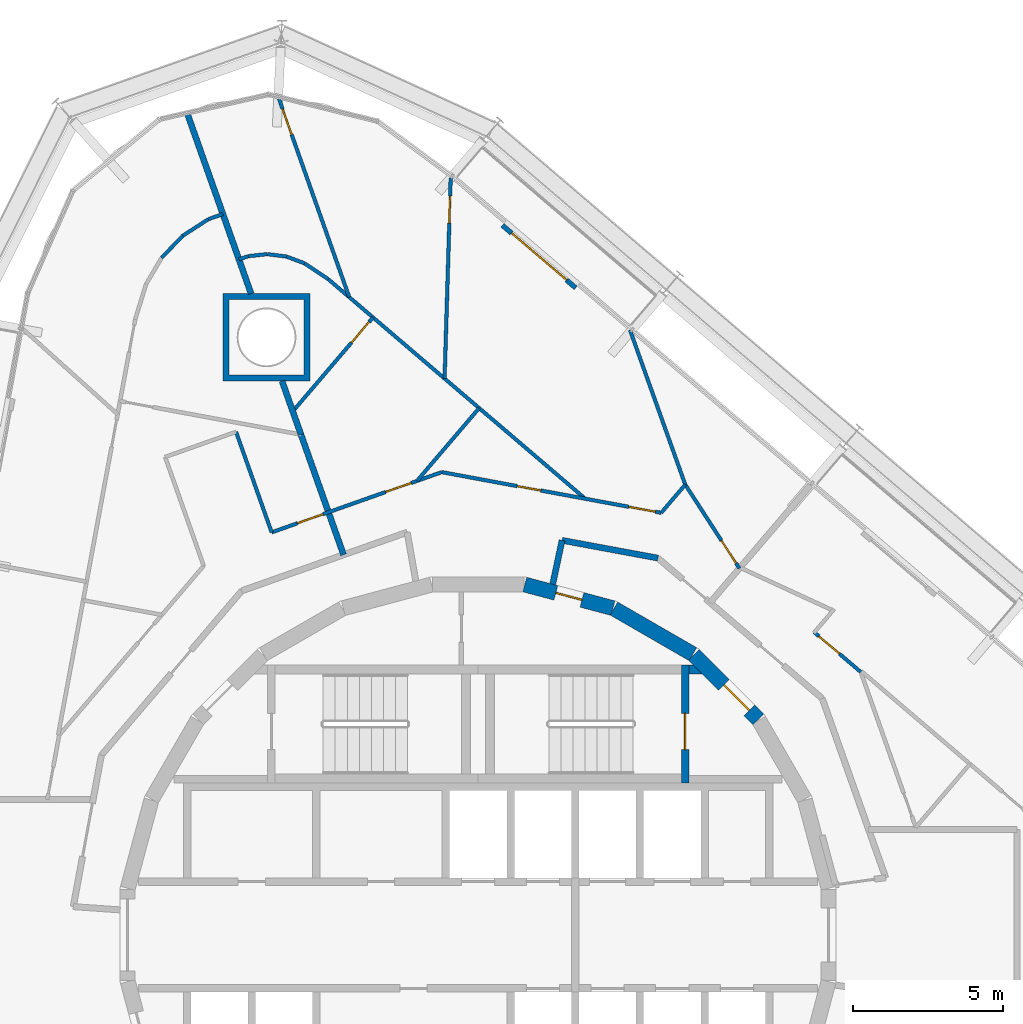
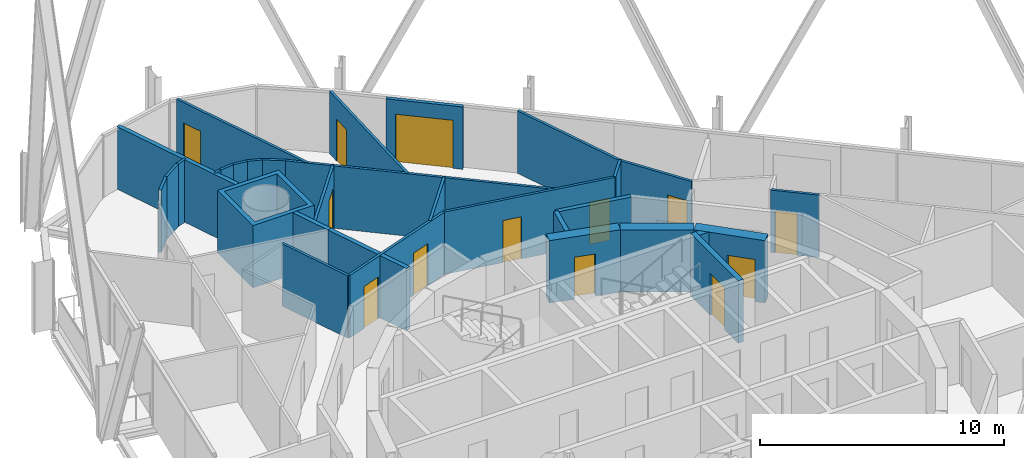
# One storey, part 15 of 17: 32 walls, 13 doors, 13 openings.
"""IFC4 building model written with IfcOpenShell, lengths in metres."""

from ifc_helpers import new_model, si_unit, direction, frame, frame_2d, origin, place, context, subcontext, project, spatial, polyline, rectangle, outline, extrude, material, layer, layer_set, type_object, element, fill, save


model = new_model("IFC4")

# Units and contexts
model_context = context("Model", 3, precision=1e-05, world=origin(), true_north=direction((0.0, 1.0)))
body_context = subcontext(model_context, "Body", "Model", "MODEL_VIEW")
ifc_project = project(units=[si_unit("LENGTHUNIT", "METRE"), si_unit("AREAUNIT", "SQUARE_METRE"), si_unit("VOLUMEUNIT", "CUBIC_METRE"), si_unit("PLANEANGLEUNIT", "RADIAN"), si_unit("MASSUNIT", "GRAM", prefix="KILO")], contexts=[model_context])

# Site, building, storey
site_placement = place(None, origin())
site = spatial("IfcSite", under=ifc_project, at=site_placement, CompositionType="ELEMENT")
building_placement = place(site_placement, origin())
building = spatial("IfcBuilding", under=site, at=building_placement, Name="Spindle Arch Residences", CompositionType="ELEMENT")
storey_placement = place(building_placement, frame((0.0, 0.0, 165.699951171875)))
storey = spatial("IfcBuildingStorey", under=building, at=storey_placement, Name="L41", CompositionType="ELEMENT", Elevation=165.699951171875)

# Wall, opening, door
ifc_material_1 = material(Name="Concrete C50/60", Category="concrete")
ifc_layer_1 = layer(ifc_material_1, 0.5)
ifc_layer_set_1 = layer_set([ifc_layer_1], Name="Core outline wall 500")
wall_type_1 = type_object("IfcWallType", Name="Core outline wall 500", PredefinedType="SHEAR", material=ifc_layer_set_1)
wall_1_placement = place(storey_placement, frame((9.30810546875, 7.163818359375, 0.0), z_axis=(0.0, 0.0, 1.0), x_axis=(-0.707106781187, 0.707106781187, 0.0)))
wall_1 = element("IfcWall", 1, at=wall_1_placement, inside=storey, type_object=wall_type_1, Name="Core outline wall 9", PredefinedType="SHEAR", context=body_context, shape_type="SweptSolid", body=[
    extrude(rectangle(XDim=3.032470703125, YDim=0.5, at=frame_2d((1.51611328125, 0.0))), origin(), (0.0, 0.0, 1.0), 3.1201171875),
])
opening_1_placement = place(wall_1_placement, frame((0.416259765625, 0.0, 0.0)))
opening_1 = element("IfcOpeningElement", 2, at=opening_1_placement, cuts=wall_1, Name="Opening R4B0-AD01", PredefinedType="OPENING", context=body_context, shape_type="SweptSolid", body=[
    extrude(rectangle(XDim=1.199951171875, YDim=2.10009765625, at=frame_2d((0.60009765625, 1.050048828125))), frame((0.0, 0.260009765625, 0.0), z_axis=(0.0, -1.0, 0.0), x_axis=(1.0, 0.0, 0.0)), (0.0, 0.0, 1.0), 0.52001953125),
])
ifc_material_2 = material(Name="Steel, fire-resisting door", Category="steel")
door_type_1 = type_object("IfcDoorType", Name="Stair airlock door 1200x2100", OperationType="SINGLE_SWING_LEFT", PredefinedType="DOOR", material=ifc_material_2)
door_1_placement = place(opening_1_placement, origin())
door_1 = element("IfcDoor", 3, at=door_1_placement, inside=storey, type_object=door_type_1, Name="Stair airlock door R4B0-AD01", OperationType="SINGLE_SWING_RIGHT", OverallHeight=2.10009765625, OverallWidth=1.199951171875, PredefinedType="DOOR", context=body_context, shape_type="SweptSolid", body=[
    extrude(rectangle(XDim=1.199951171875, YDim=2.10009765625, at=frame_2d((0.60009765625, 1.050048828125))), frame((0.0, 0.02490234375, 0.0), z_axis=(0.0, -1.0, 0.0), x_axis=(1.0, 0.0, 0.0)), (0.0, 0.0, 1.0), 0.050048828125),
])
fill(opening_1, door_1)

# Wall
wall_2_placement = place(storey_placement, frame((7.13671875, 9.32861328125, 0.0), z_axis=(0.0, 0.0, 1.0), x_axis=(-0.865975092491, 0.500087131594, 0.0)))
element("IfcWall", 4, at=wall_2_placement, inside=storey, type_object=wall_type_1, Name="Core outline wall 10", PredefinedType="SHEAR", context=body_context, shape_type="SweptSolid", body=[
    extrude(rectangle(XDim=3.03271484375, YDim=0.5, at=frame_2d((1.516357421875, 0.0))), origin(), (0.0, 0.0, 1.0), 3.1201171875),
])

# Wall, opening, door
wall_3_placement = place(storey_placement, frame((4.479248046875, 10.858154296875, 0.0), z_axis=(0.0, 0.0, 1.0), x_axis=(-0.965948410781, 0.258734743916, 0.0)))
wall_3 = element("IfcWall", 5, at=wall_3_placement, inside=storey, type_object=wall_type_1, Name="Core outline wall 11", PredefinedType="SHEAR", context=body_context, shape_type="SweptSolid", body=[
    extrude(rectangle(XDim=3.03271484375, YDim=0.5, at=frame_2d((1.516357421875, 0.0))), origin(), (0.0, 0.0, 1.0), 3.1201171875),
])
opening_2_placement = place(wall_3_placement, frame((1.066162109375, 0.0, 0.0)))
opening_2 = element("IfcOpeningElement", 6, at=opening_2_placement, cuts=wall_3, Name="Opening R4B0-WD10", PredefinedType="OPENING", context=body_context, shape_type="SweptSolid", body=[
    extrude(rectangle(XDim=0.89990234375, YDim=2.10009765625, at=frame_2d((0.449951171875, 1.050048828125))), frame((0.0, 0.260009765625, 0.0), z_axis=(0.0, -1.0, 0.0), x_axis=(1.0, 0.0, 0.0)), (0.0, 0.0, 1.0), 0.52001953125),
])
ifc_material_3 = material(Name="Steel, fire-resisting door", Category="steel")
door_type_2 = type_object("IfcDoorType", Name="Service room door 900x2100", OperationType="SINGLE_SWING_LEFT", PredefinedType="DOOR", material=ifc_material_3)
door_2_placement = place(opening_2_placement, origin())
door_2 = element("IfcDoor", 7, at=door_2_placement, inside=storey, type_object=door_type_2, Name="Service room door R4B0-WD10", OperationType="SINGLE_SWING_RIGHT", OverallHeight=2.10009765625, OverallWidth=0.89990234375, PredefinedType="DOOR", context=body_context, shape_type="SweptSolid", body=[
    extrude(rectangle(XDim=0.89990234375, YDim=2.10009765625, at=frame_2d((0.449951171875, 1.050048828125))), frame((0.0, 0.02490234375, 0.0), z_axis=(0.0, -1.0, 0.0), x_axis=(1.0, 0.0, 0.0)), (0.0, 0.0, 1.0), 0.050048828125),
])
fill(opening_2, door_2)

# Walls
ifc_material_4 = material(Name="Calcium silicate block, plastered")
ifc_layer_2 = layer(ifc_material_4, 0.199951171875)
ifc_layer_set_2 = layer_set([ifc_layer_2], Name="Corridor wall 200")
wall_type_2 = type_object("IfcWallType", Name="Corridor wall 200", PredefinedType="STANDARD", material=ifc_layer_set_2)
wall_4_placement = place(storey_placement, frame((5.972412109375, 12.521240234375, 0.0), z_axis=(0.0, 0.0, 1.0), x_axis=(-0.983243002308, 0.182299748799, 0.0)))
element("IfcWall", 8, at=wall_4_placement, inside=storey, type_object=wall_type_2, Name="Corridor wall R4B0-W005", PredefinedType="STANDARD", context=body_context, shape_type="SweptSolid", body=[
    extrude(rectangle(XDim=3.239501953125, YDim=0.199951171875, at=frame_2d((1.61962890625, 0.0))), origin(), (0.0, 0.0, 1.0), 3.1201171875),
])
wall_5_placement = place(storey_placement, frame((2.787109375, 13.11181640625, 0.0), z_axis=(0.0, 0.0, 1.0), x_axis=(-0.207941001029, -0.978141370197, 0.0)))
element("IfcWall", 9, at=wall_5_placement, inside=storey, type_object=wall_type_2, Name="Corridor wall R4B0-W006", PredefinedType="STANDARD", context=body_context, shape_type="SweptSolid", body=[
    extrude(rectangle(XDim=1.4912109375, YDim=0.199951171875, at=frame_2d((0.74560546875, 0.0))), origin(), (0.0, 0.0, 1.0), 3.1201171875),
])

# Wall, opening, door
ifc_material_5 = material(Name="Plasterboard on steel studs", Category="steel")
ifc_layer_3 = layer(ifc_material_5, 0.1201171875)
ifc_layer_set_3 = layer_set([ifc_layer_3], Name="Flat partition 120")
wall_type_3 = type_object("IfcWallType", Name="Flat partition 120", PredefinedType="PARTITIONING", material=ifc_layer_set_3)
wall_6_placement = place(storey_placement, frame((12.712646484375, 8.7373046875, 0.0), z_axis=(0.0, 0.0, 1.0), x_axis=(-0.760410825807, 0.649442357716, 0.0)))
wall_6 = element("IfcWall", 10, at=wall_6_placement, inside=storey, type_object=wall_type_3, Name="Flat partition R4B0-W039", PredefinedType="PARTITIONING", context=body_context, shape_type="SweptSolid", body=[
    extrude(rectangle(XDim=2.028564453125, YDim=0.1201171875, at=frame_2d((1.01416015625, 0.0))), origin(), (0.0, 0.0, 1.0), 3.1201171875),
])
opening_3_placement = place(wall_6_placement, frame((0.9287109375, 0.0, 0.0)))
opening_3 = element("IfcOpeningElement", 11, at=opening_3_placement, cuts=wall_6, Name="Opening R4B0-ID01", PredefinedType="OPENING", context=body_context, shape_type="SweptSolid", body=[
    extrude(rectangle(XDim=0.89990234375, YDim=2.10009765625, at=frame_2d((0.449951171875, 1.050048828125))), frame((0.0, 0.070068359375, 0.0), z_axis=(0.0, -1.0, 0.0), x_axis=(1.0, 0.0, 0.0)), (0.0, 0.0, 1.0), 0.14013671875),
])
ifc_material_6 = material(Name="Timber door set", Category="wood")
door_type_3 = type_object("IfcDoorType", Name="Room door 900x2100", OperationType="NOTDEFINED", PredefinedType="DOOR", material=ifc_material_6)
door_3_placement = place(opening_3_placement, origin())
door_3 = element("IfcDoor", 12, at=door_3_placement, inside=storey, type_object=door_type_3, Name="Room door R4B0-ID01", OperationType="SINGLE_SWING_LEFT", OverallHeight=2.10009765625, OverallWidth=0.89990234375, PredefinedType="DOOR", context=body_context, shape_type="SweptSolid", body=[
    extrude(rectangle(XDim=0.89990234375, YDim=2.10009765625, at=frame_2d((0.449951171875, 1.050048828125))), frame((0.0, 0.02490234375, 0.0), z_axis=(0.0, -1.0, 0.0), x_axis=(1.0, 0.0, 0.0)), (0.0, 0.0, 1.0), 0.050048828125),
])
fill(opening_3, door_3)

wall_7_placement = place(storey_placement, frame((8.6806640625, 12.180908203125, 0.0), z_axis=(0.0, 0.0, 1.0), x_axis=(-0.543187118914, 0.839611668479, 0.0)))
wall_7 = element("IfcWall", 13, at=wall_7_placement, inside=storey, type_object=wall_type_3, Name="Flat partition R4B0-W053", PredefinedType="PARTITIONING", context=body_context, shape_type="SweptSolid", body=[
    extrude(rectangle(XDim=3.3134765625, YDim=0.1201171875, at=frame_2d((1.65673828125, 0.0))), origin(), (0.0, 0.0, 1.0), 3.1201171875),
])
opening_4_placement = place(wall_7_placement, frame((0.199951171875, 0.0, 0.0)))
opening_4 = element("IfcOpeningElement", 14, at=opening_4_placement, cuts=wall_7, Name="Opening R4B0-ID06", PredefinedType="OPENING", context=body_context, shape_type="SweptSolid", body=[
    extrude(rectangle(XDim=0.89990234375, YDim=2.10009765625, at=frame_2d((0.449951171875, 1.050048828125))), frame((0.0, 0.070068359375, 0.0), z_axis=(0.0, -1.0, 0.0), x_axis=(1.0, 0.0, 0.0)), (0.0, 0.0, 1.0), 0.14013671875),
])
door_4_placement = place(opening_4_placement, origin())
door_4 = element("IfcDoor", 15, at=door_4_placement, inside=storey, type_object=door_type_3, Name="Room door R4B0-ID06", OperationType="SINGLE_SWING_RIGHT", OverallHeight=2.10009765625, OverallWidth=0.89990234375, PredefinedType="DOOR", context=body_context, shape_type="SweptSolid", body=[
    extrude(rectangle(XDim=0.89990234375, YDim=2.10009765625, at=frame_2d((0.449951171875, 1.050048828125))), frame((0.0, 0.02490234375, 0.0), z_axis=(0.0, -1.0, 0.0), x_axis=(1.0, 0.0, 0.0)), (0.0, 0.0, 1.0), 0.050048828125),
])
fill(opening_4, door_4)

# Wall
wall_8_placement = place(storey_placement, frame((6.880859375, 14.962890625, 0.0), z_axis=(0.0, 0.0, 1.0), x_axis=(-0.649402250594, -0.760445078177, 0.0)))
element("IfcWall", 16, at=wall_8_placement, inside=storey, type_object=wall_type_3, Name="Flat partition R4B0-W054", PredefinedType="PARTITIONING", context=body_context, shape_type="SweptSolid", body=[
    extrude(rectangle(XDim=1.231201171875, YDim=0.1201171875, at=frame_2d((0.61572265625, 0.0))), origin(), (0.0, 0.0, 1.0), 3.1201171875),
])

# Wall, openings, doors
wall_9_placement = place(storey_placement, frame((6.081298828125, 14.026611328125, 0.0), z_axis=(0.0, 0.0, 1.0), x_axis=(-0.983250989832, 0.182256662416, 0.0)))
wall_9 = element("IfcWall", 17, at=wall_9_placement, inside=storey, type_object=wall_type_3, Name="Flat partition R4B0-W055", PredefinedType="PARTITIONING", context=body_context, shape_type="SweptSolid", body=[
    extrude(rectangle(XDim=7.415771484375, YDim=0.1201171875, at=frame_2d((3.7080078125, 0.0))), origin(), (0.0, 0.0, 1.0), 3.1201171875),
])
opening_5_placement = place(wall_9_placement, frame((0.199951171875, 0.0, 0.0)))
opening_5 = element("IfcOpeningElement", 18, at=opening_5_placement, cuts=wall_9, Name="Opening R4B0-ID07", PredefinedType="OPENING", context=body_context, shape_type="SweptSolid", body=[
    extrude(rectangle(XDim=0.89990234375, YDim=2.10009765625, at=frame_2d((0.449951171875, 1.050048828125))), frame((0.0, 0.070068359375, 0.0), z_axis=(0.0, -1.0, 0.0), x_axis=(1.0, 0.0, 0.0)), (0.0, 0.0, 1.0), 0.14013671875),
])
opening_6_placement = place(wall_9_placement, frame((4.06494140625, 0.0, 0.0)))
opening_6 = element("IfcOpeningElement", 19, at=opening_6_placement, cuts=wall_9, Name="Opening R4B0-BD02", PredefinedType="OPENING", context=body_context, shape_type="SweptSolid", body=[
    extrude(rectangle(XDim=0.800048828125, YDim=2.10009765625, at=frame_2d((0.39990234375, 1.050048828125))), frame((0.0, 0.070068359375, 0.0), z_axis=(0.0, -1.0, 0.0), x_axis=(1.0, 0.0, 0.0)), (0.0, 0.0, 1.0), 0.14013671875),
])
ifc_material_7 = material(Name="Timber door set", Category="wood")
door_type_4 = type_object("IfcDoorType", Name="Bathroom door 800x2100", OperationType="NOTDEFINED", PredefinedType="DOOR", material=ifc_material_7)
door_5_placement = place(opening_6_placement, origin())
door_5 = element("IfcDoor", 20, at=door_5_placement, inside=storey, type_object=door_type_4, Name="Bathroom door R4B0-BD02", OperationType="SINGLE_SWING_RIGHT", OverallHeight=2.10009765625, OverallWidth=0.800048828125, PredefinedType="DOOR", context=body_context, shape_type="SweptSolid", body=[
    extrude(rectangle(XDim=0.800048828125, YDim=2.10009765625, at=frame_2d((0.39990234375, 1.050048828125))), frame((0.0, 0.02490234375, 0.0), z_axis=(0.0, -1.0, 0.0), x_axis=(1.0, 0.0, 0.0)), (0.0, 0.0, 1.0), 0.050048828125),
])
fill(opening_6, door_5)
door_6_placement = place(opening_5_placement, origin())
door_6 = element("IfcDoor", 21, at=door_6_placement, inside=storey, type_object=door_type_3, Name="Room door R4B0-ID07", OperationType="SINGLE_SWING_RIGHT", OverallHeight=2.10009765625, OverallWidth=0.89990234375, PredefinedType="DOOR", context=body_context, shape_type="SweptSolid", body=[
    extrude(rectangle(XDim=0.89990234375, YDim=2.10009765625, at=frame_2d((0.449951171875, 1.050048828125))), frame((0.0, 0.02490234375, 0.0), z_axis=(0.0, -1.0, 0.0), x_axis=(1.0, 0.0, 0.0)), (0.0, 0.0, 1.0), 0.050048828125),
])
fill(opening_5, door_6)

wall_10_placement = place(storey_placement, frame((-1.210205078125, 15.378173828125, 0.0), z_axis=(0.0, 0.0, 1.0), x_axis=(-0.9426440416, -0.333799656734, 0.0)))
wall_10 = element("IfcWall", 22, at=wall_10_placement, inside=storey, type_object=wall_type_3, Name="Flat partition R4B0-W056", PredefinedType="PARTITIONING", context=body_context, shape_type="SweptSolid", body=[
    extrude(rectangle(XDim=5.99609375, YDim=0.1201171875, at=frame_2d((2.998046875, 0.0))), origin(), (0.0, 0.0, 1.0), 3.1201171875),
])
opening_7_placement = place(wall_10_placement, frame((1.074951171875, 0.0, 0.0)))
opening_7 = element("IfcOpeningElement", 23, at=opening_7_placement, cuts=wall_10, Name="Opening R4B0-ID08", PredefinedType="OPENING", context=body_context, shape_type="SweptSolid", body=[
    extrude(rectangle(XDim=0.89990234375, YDim=2.10009765625, at=frame_2d((0.449951171875, 1.050048828125))), frame((0.0, 0.070068359375, 0.0), z_axis=(0.0, -1.0, 0.0), x_axis=(1.0, 0.0, 0.0)), (0.0, 0.0, 1.0), 0.14013671875),
])
opening_8_placement = place(wall_10_placement, frame((4.1923828125, 0.0, 0.0)))
opening_8 = element("IfcOpeningElement", 24, at=opening_8_placement, cuts=wall_10, Name="Opening R4B0-ID12", PredefinedType="OPENING", context=body_context, shape_type="SweptSolid", body=[
    extrude(rectangle(XDim=0.89990234375, YDim=2.10009765625, at=frame_2d((0.449951171875, 1.050048828125))), frame((0.0, 0.070068359375, 0.0), z_axis=(0.0, -1.0, 0.0), x_axis=(1.0, 0.0, 0.0)), (0.0, 0.0, 1.0), 0.14013671875),
])
door_7_placement = place(opening_7_placement, origin())
door_7 = element("IfcDoor", 25, at=door_7_placement, inside=storey, type_object=door_type_3, Name="Room door R4B0-ID08", OperationType="SINGLE_SWING_RIGHT", OverallHeight=2.10009765625, OverallWidth=0.89990234375, PredefinedType="DOOR", context=body_context, shape_type="SweptSolid", body=[
    extrude(rectangle(XDim=0.89990234375, YDim=2.10009765625, at=frame_2d((0.449951171875, 1.050048828125))), frame((0.0, 0.02490234375, 0.0), z_axis=(0.0, -1.0, 0.0), x_axis=(1.0, 0.0, 0.0)), (0.0, 0.0, 1.0), 0.050048828125),
])
fill(opening_7, door_7)
door_8_placement = place(opening_8_placement, origin())
door_8 = element("IfcDoor", 26, at=door_8_placement, inside=storey, type_object=door_type_3, Name="Room door R4B0-ID12", OperationType="SINGLE_SWING_LEFT", OverallHeight=2.10009765625, OverallWidth=0.89990234375, PredefinedType="DOOR", context=body_context, shape_type="SweptSolid", body=[
    extrude(rectangle(XDim=0.89990234375, YDim=2.10009765625, at=frame_2d((0.449951171875, 1.050048828125))), frame((0.0, 0.02490234375, 0.0), z_axis=(0.0, -1.0, 0.0), x_axis=(1.0, 0.0, 0.0)), (0.0, 0.0, 1.0), 0.050048828125),
])
fill(opening_8, door_8)

# Walls
wall_11_placement = place(storey_placement, frame((5.042724609375, 20.10498046875, 0.0), z_axis=(0.0, 0.0, 1.0), x_axis=(0.336608273763, -0.941644768495, 0.0)))
element("IfcWall", 27, at=wall_11_placement, inside=storey, type_object=wall_type_3, Name="Flat partition R4B0-W057", PredefinedType="PARTITIONING", context=body_context, shape_type="SweptSolid", body=[
    extrude(rectangle(XDim=5.460693359375, YDim=0.1201171875, at=frame_2d((2.73046875, 0.0))), origin(), (0.0, 0.0, 1.0), 3.1201171875),
])
wall_12_placement = place(storey_placement, frame((-4.983154296875, 21.7900390625, 0.0), z_axis=(0.0, 0.0, 1.0), x_axis=(0.760399838428, -0.649455222258, 0.0)))
element("IfcWall", 28, at=wall_12_placement, inside=storey, type_object=wall_type_3, Name="Flat partition R4B0-W058", PredefinedType="PARTITIONING", context=body_context, shape_type="SweptSolid", body=[
    extrude(rectangle(XDim=11.23388671875, YDim=0.1201171875, at=frame_2d((5.616943359375, 0.0))), origin(), (0.0, 0.0, 1.0), 3.1201171875),
])

# Wall, opening, door
wall_13_placement = place(storey_placement, frame((-0.913818359375, 25.152587890625, 0.0), z_axis=(0.0, 0.0, 1.0), x_axis=(-0.030313511254, -0.99954043992, 0.0)))
wall_13 = element("IfcWall", 29, at=wall_13_placement, inside=storey, type_object=wall_type_3, Name="Flat partition R4B0-W059", PredefinedType="PARTITIONING", context=body_context, shape_type="SweptSolid", body=[
    extrude(rectangle(XDim=6.668701171875, YDim=0.1201171875, at=frame_2d((3.33447265625, 0.0))), origin(), (0.0, 0.0, 1.0), 3.1201171875),
])
opening_9_placement = place(wall_13_placement, frame((0.60009765625, 0.0, 0.0)))
opening_9 = element("IfcOpeningElement", 30, at=opening_9_placement, cuts=wall_13, Name="Opening R4B0-ID10", PredefinedType="OPENING", context=body_context, shape_type="SweptSolid", body=[
    extrude(rectangle(XDim=0.89990234375, YDim=2.10009765625, at=frame_2d((0.449951171875, 1.050048828125))), frame((0.0, 0.070068359375, 0.0), z_axis=(0.0, -1.0, 0.0), x_axis=(1.0, 0.0, 0.0)), (0.0, 0.0, 1.0), 0.14013671875),
])
door_9_placement = place(opening_9_placement, origin())
door_9 = element("IfcDoor", 31, at=door_9_placement, inside=storey, type_object=door_type_3, Name="Room door R4B0-ID10", OperationType="SINGLE_SWING_RIGHT", OverallHeight=2.10009765625, OverallWidth=0.89990234375, PredefinedType="DOOR", context=body_context, shape_type="SweptSolid", body=[
    extrude(rectangle(XDim=0.89990234375, YDim=2.10009765625, at=frame_2d((0.449951171875, 1.050048828125))), frame((0.0, 0.02490234375, 0.0), z_axis=(0.0, -1.0, 0.0), x_axis=(1.0, 0.0, 0.0)), (0.0, 0.0, 1.0), 0.050048828125),
])
fill(opening_9, door_9)

# Wall
wall_14_placement = place(storey_placement, frame((0.0322265625, 17.50634765625, 0.0), z_axis=(0.0, 0.0, 1.0), x_axis=(-0.649432263268, -0.760419447034, 0.0)))
element("IfcWall", 32, at=wall_14_placement, inside=storey, type_object=wall_type_3, Name="Flat partition R4B0-W060", PredefinedType="PARTITIONING", context=body_context, shape_type="SweptSolid", body=[
    extrude(rectangle(XDim=3.18310546875, YDim=0.1201171875, at=frame_2d((1.591552734375, 0.0))), origin(), (0.0, 0.0, 1.0), 3.1201171875),
])

# Wall, opening, door
wall_15_placement = place(storey_placement, frame((-6.63037109375, 27.815673828125, 0.0), z_axis=(0.0, 0.0, 1.0), x_axis=(0.3337943848, -0.942645908428, 0.0)))
wall_15 = element("IfcWall", 33, at=wall_15_placement, inside=storey, type_object=wall_type_3, Name="Flat partition R4B0-W061", PredefinedType="PARTITIONING", context=body_context, shape_type="SweptSolid", body=[
    extrude(rectangle(XDim=7.0244140625, YDim=0.1201171875, at=frame_2d((3.51220703125, 0.0))), origin(), (0.0, 0.0, 1.0), 3.1201171875),
])
opening_10_placement = place(wall_15_placement, frame((0.39990234375, 0.0, 0.0)))
opening_10 = element("IfcOpeningElement", 34, at=opening_10_placement, cuts=wall_15, Name="Opening R4B0-ID11", PredefinedType="OPENING", context=body_context, shape_type="SweptSolid", body=[
    extrude(rectangle(XDim=0.89990234375, YDim=2.10009765625, at=frame_2d((0.449951171875, 1.050048828125))), frame((0.0, 0.070068359375, 0.0), z_axis=(0.0, -1.0, 0.0), x_axis=(1.0, 0.0, 0.0)), (0.0, 0.0, 1.0), 0.14013671875),
])
door_10_placement = place(opening_10_placement, origin())
door_10 = element("IfcDoor", 35, at=door_10_placement, inside=storey, type_object=door_type_3, Name="Room door R4B0-ID11", OperationType="SINGLE_SWING_RIGHT", OverallHeight=2.10009765625, OverallWidth=0.89990234375, PredefinedType="DOOR", context=body_context, shape_type="SweptSolid", body=[
    extrude(rectangle(XDim=0.89990234375, YDim=2.10009765625, at=frame_2d((0.449951171875, 1.050048828125))), frame((0.0, 0.02490234375, 0.0), z_axis=(0.0, -1.0, 0.0), x_axis=(1.0, 0.0, 0.0)), (0.0, 0.0, 1.0), 0.050048828125),
])
fill(opening_10, door_10)

wall_16_placement = place(storey_placement, frame((-3.494873046875, 20.518798828125, 0.0), z_axis=(0.0, 0.0, 1.0), x_axis=(-0.649433550281, -0.760418347865, 0.0)))
wall_16 = element("IfcWall", 36, at=wall_16_placement, inside=storey, type_object=wall_type_3, Name="Flat partition R4B0-W062", PredefinedType="PARTITIONING", context=body_context, shape_type="SweptSolid", body=[
    extrude(rectangle(XDim=4.104736328125, YDim=0.1201171875, at=frame_2d((2.05224609375, 0.0))), origin(), (0.0, 0.0, 1.0), 3.1201171875),
])
opening_11_placement = place(wall_16_placement, frame((0.199951171875, 0.0, 0.0)))
opening_11 = element("IfcOpeningElement", 37, at=opening_11_placement, cuts=wall_16, Name="Opening R4B0-ID09", PredefinedType="OPENING", context=body_context, shape_type="SweptSolid", body=[
    extrude(rectangle(XDim=0.89990234375, YDim=2.10009765625, at=frame_2d((0.449951171875, 1.050048828125))), frame((0.0, 0.070068359375, 0.0), z_axis=(0.0, -1.0, 0.0), x_axis=(1.0, 0.0, 0.0)), (0.0, 0.0, 1.0), 0.14013671875),
])
door_11_placement = place(opening_11_placement, origin())
door_11 = element("IfcDoor", 38, at=door_11_placement, inside=storey, type_object=door_type_3, Name="Room door R4B0-ID09", OperationType="SINGLE_SWING_RIGHT", OverallHeight=2.10009765625, OverallWidth=0.89990234375, PredefinedType="DOOR", context=body_context, shape_type="SweptSolid", body=[
    extrude(rectangle(XDim=0.89990234375, YDim=2.10009765625, at=frame_2d((0.449951171875, 1.050048828125))), frame((0.0, 0.02490234375, 0.0), z_axis=(0.0, -1.0, 0.0), x_axis=(1.0, 0.0, 0.0)), (0.0, 0.0, 1.0), 0.050048828125),
])
fill(opening_11, door_11)

# Walls
wall_17_placement = place(storey_placement, frame((-4.983154296875, 21.7900390625, 0.0), z_axis=(0.0, 0.0, 1.0), x_axis=(-0.830738977604, 0.556662151659, 0.0)))
element("IfcWall", 39, at=wall_17_placement, inside=storey, type_object=wall_type_3, Name="Flat partition R4B0-W063", PredefinedType="PARTITIONING", context=body_context, shape_type="SweptSolid", body=[
    extrude(rectangle(XDim=0.94677734375, YDim=0.1201171875, at=frame_2d((0.473388671875, 0.0))), origin(), (0.0, 0.0, 1.0), 3.1201171875),
])
wall_18_placement = place(storey_placement, frame((-5.769775390625, 22.317138671875, 0.0), z_axis=(0.0, 0.0, 1.0), x_axis=(-0.936656964971, 0.350248097742, 0.0)))
element("IfcWall", 40, at=wall_18_placement, inside=storey, type_object=wall_type_3, Name="Flat partition R4B0-W064", PredefinedType="PARTITIONING", context=body_context, shape_type="SweptSolid", body=[
    extrude(rectangle(XDim=0.64208984375, YDim=0.1201171875, at=frame_2d((0.321044921875, 0.0))), origin(), (0.0, 0.0, 1.0), 3.1201171875),
])
for number, where, z_axis, x_axis, name in (
    (41, (-6.37109375, 22.5419921875, 0.0), (0.0, 0.0, 1.0), (-0.992183947469, 0.124783870694, 0.0), "Flat partition R4B0-W065"),
    (42, (-7.0078125, 22.6220703125, 0.0), (0.0, 0.0, 1.0), (-0.994190559363, -0.107634249541, 0.0), "Flat partition R4B0-W066"),
):
    element("IfcWall", number, at=place(storey_placement, frame(where, z_axis=z_axis, x_axis=x_axis)), inside=storey, type_object=wall_type_3, Name=name, PredefinedType="PARTITIONING", context=body_context, shape_type="SweptSolid", body=[
        extrude(rectangle(XDim=0.641845703125, YDim=0.1201171875, at=frame_2d((0.32080078125, 0.0))), origin(), (0.0, 0.0, 1.0), 3.1201171875),
    ])
wall_19_placement = place(storey_placement, frame((-7.64599609375, 22.552978515625, 0.0), z_axis=(0.0, 0.0, 1.0), x_axis=(-0.942821632103, -0.333297719823, 0.0)))
element("IfcWall", 43, at=wall_19_placement, inside=storey, type_object=wall_type_3, Name="Flat partition R4B0-W067", PredefinedType="PARTITIONING", context=body_context, shape_type="SweptSolid", body=[
    extrude(rectangle(XDim=0.32080078125, YDim=0.1201171875, at=frame_2d((0.160400390625, 0.0))), origin(), (0.0, 0.0, 1.0), 3.1201171875),
])
wall_20_placement = place(storey_placement, frame((-6.8623046875, 13.376708984375, 0.0), z_axis=(0.0, 0.0, 1.0), x_axis=(-0.333868827671, 0.942619544625, 0.0)))
element("IfcWall", 44, at=wall_20_placement, inside=storey, type_object=wall_type_3, Name="Flat partition R4B0-W068", PredefinedType="PARTITIONING", context=body_context, shape_type="SweptSolid", body=[
    extrude(rectangle(XDim=3.54296875, YDim=0.1201171875, at=frame_2d((1.771484375, 0.0))), origin(), (0.0, 0.0, 1.0), 3.1201171875),
])
wall_21_placement = place(storey_placement, frame((-8.482666015625, 23.9541015625, 0.0), z_axis=(0.0, 0.0, 1.0), x_axis=(-0.942705991445, -0.3336246599, 0.0)))
element("IfcWall", 45, at=wall_21_placement, inside=storey, type_object=wall_type_3, Name="Flat partition R4B0-W074", PredefinedType="PARTITIONING", context=body_context, shape_type="SweptSolid", body=[
    extrude(rectangle(XDim=0.5078125, YDim=0.1201171875, at=frame_2d((0.25390625, 0.0))), origin(), (0.0, 0.0, 1.0), 3.1201171875),
])
wall_22_placement = place(storey_placement, frame((-8.96142578125, 23.78466796875, 0.0), z_axis=(0.0, 0.0, 1.0), x_axis=(-0.840310772539, -0.542104976508, 0.0)))
element("IfcWall", 46, at=wall_22_placement, inside=storey, type_object=wall_type_3, Name="Flat partition R4B0-W075", PredefinedType="PARTITIONING", context=body_context, shape_type="SweptSolid", body=[
    extrude(rectangle(XDim=1.01611328125, YDim=0.1201171875, at=frame_2d((0.508056640625, 0.0))), origin(), (0.0, 0.0, 1.0), 3.1201171875),
])
wall_23_placement = place(storey_placement, frame((-9.815185546875, 23.23388671875, 0.0), z_axis=(0.0, 0.0, 1.0), x_axis=(-0.69266189308, -0.721262436201, 0.0)))
element("IfcWall", 47, at=wall_23_placement, inside=storey, type_object=wall_type_3, Name="Flat partition R4B0-W076", PredefinedType="PARTITIONING", context=body_context, shape_type="SweptSolid", body=[
    extrude(rectangle(XDim=1.015869140625, YDim=0.1201171875, at=frame_2d((0.5078125, 0.0))), origin(), (0.0, 0.0, 1.0), 3.1201171875),
])
ifc_material_8 = material(Name="Calcium silicate block, plastered")
ifc_layer_4 = layer(ifc_material_8, 0.199951171875)
ifc_layer_set_4 = layer_set([ifc_layer_4], Name="Flat party wall 200")
wall_type_4 = type_object("IfcWallType", Name="Flat party wall 200", PredefinedType="STANDARD", material=ifc_layer_set_4)
wall_24_placement = place(storey_placement, frame((-5.887451171875, 16.625732421875, 0.0), z_axis=(0.0, 0.0, 1.0), x_axis=(0.333820478853, -0.942636668021, 0.0)))
element("IfcWall", 48, at=wall_24_placement, inside=storey, type_object=wall_type_4, Name="Flat party wall R4B0-W031", PredefinedType="STANDARD", context=body_context, shape_type="SweptSolid", body=[
    extrude(rectangle(XDim=4.237548828125, YDim=0.199951171875, at=frame_2d((2.11865234375, 0.0))), origin(), (0.0, 0.0, 1.0), 3.1201171875),
])
wall_25_placement = place(storey_placement, frame((-6.518310546875, 18.40771484375, 0.0), z_axis=(0.0, 0.0, 1.0), x_axis=(0.333725210903, -0.942670400303, 0.0)))
element("IfcWall", 49, at=wall_25_placement, inside=storey, type_object=wall_type_4, Name="Flat party wall R4B0-W032", PredefinedType="STANDARD", context=body_context, shape_type="SweptSolid", body=[
    extrude(rectangle(XDim=1.890380859375, YDim=0.199951171875, at=frame_2d((0.9453125, 0.0))), origin(), (0.0, 0.0, 1.0), 3.1201171875),
])
wall_26_placement = place(storey_placement, frame((-9.684326171875, 27.34765625, 0.0), z_axis=(0.0, 0.0, 1.0), x_axis=(0.333810465454, -0.942640214055, 0.0)))
element("IfcWall", 50, at=wall_26_placement, inside=storey, type_object=wall_type_4, Name="Flat party wall R4B0-W033", PredefinedType="STANDARD", context=body_context, shape_type="SweptSolid", body=[
    extrude(rectangle(XDim=6.407470703125, YDim=0.199951171875, at=frame_2d((3.20361328125, 0.0))), origin(), (0.0, 0.0, 1.0), 3.1201171875),
])

# Wall, opening, door
ifc_material_9 = material(Name="Non-combustible mineral wool insulated aluminium faced external wall (K0)", Category="aluminium")
ifc_layer_5 = layer(ifc_material_9, 0.159912109375)
ifc_layer_set_5 = layer_set([ifc_layer_5], Name="Insulated external wall panel 160")
wall_type_5 = type_object("IfcWallType", Name="Insulated external wall panel 160", PredefinedType="STANDARD", material=ifc_layer_set_5)
wall_27_placement = place(storey_placement, frame((3.239501953125, 21.50048828125, 0.0), z_axis=(0.0, 0.0, 1.0), x_axis=(-0.760429407868, 0.649420599957, 0.0)))
wall_27 = element("IfcWall", 51, at=wall_27_placement, inside=storey, type_object=wall_type_5, Name="External wall L41 bay 9", PredefinedType="STANDARD", context=body_context, shape_type="SweptSolid", body=[
    extrude(rectangle(XDim=3.199951171875, YDim=0.159912109375, at=frame_2d((1.60009765625, 0.0))), origin(), (0.0, 0.0, 1.0), 3.1201171875),
])
opening_12_placement = place(wall_27_placement, frame((0.39990234375, 0.0, 0.0)))
opening_12 = element("IfcOpeningElement", 52, at=opening_12_placement, cuts=wall_27, Name="Opening BD09", PredefinedType="OPENING", context=body_context, shape_type="SweptSolid", body=[
    extrude(rectangle(XDim=2.39990234375, YDim=2.39990234375, at=frame_2d((1.199951171875, 1.199951171875))), frame((0.0, 0.08984375, 0.0), z_axis=(0.0, -1.0, 0.0), x_axis=(1.0, 0.0, 0.0)), (0.0, 0.0, 1.0), 0.179931640625),
])
ifc_material_10 = material(Name="Bronze aluminium frame, tinted double glazing", Category="aluminium")
door_type_5 = type_object("IfcDoorType", Name="Sliding glazed balcony door 2400x2400", OperationType="DOUBLE_DOOR_SLIDING", PredefinedType="DOOR", material=ifc_material_10)
door_12_placement = place(opening_12_placement, origin())
door_12 = element("IfcDoor", 53, at=door_12_placement, inside=storey, type_object=door_type_5, Name="Balcony door BD09", OperationType="DOUBLE_DOOR_SLIDING", OverallHeight=2.39990234375, OverallWidth=2.39990234375, PredefinedType="DOOR", context=body_context, shape_type="SweptSolid", body=[
    extrude(rectangle(XDim=2.39990234375, YDim=2.39990234375, at=frame_2d((1.199951171875, 1.199951171875))), frame((0.0, 0.02490234375, 0.0), z_axis=(0.0, -1.0, 0.0), x_axis=(1.0, 0.0, 0.0)), (0.0, 0.0, 1.0), 0.050048828125),
])
fill(opening_12, door_12)

# Walls
ifc_material_11 = material(Name="Calcium silicate block, plastered")
ifc_layer_6 = layer(ifc_material_11, 0.199951171875)
ifc_layer_set_6 = layer_set([ifc_layer_6], Name="Mega-column casing wall 200")
wall_type_6 = type_object("IfcWallType", Name="Mega-column casing wall 200", PredefinedType="STANDARD", material=ifc_layer_set_6)
wall_28_placement = place(storey_placement, origin())
element("IfcWall", 54, at=wall_28_placement, inside=storey, type_object=wall_type_6, Name="Mega-column casing wall R4B0-WC01", PredefinedType="STANDARD", context=body_context, shape_type="SweptSolid", body=[
    extrude(outline(polyline([(-5.581787109375, 21.3076171875), (-5.581787109375, 18.40771484375), (-8.48193359375, 18.40771484375), (-8.48193359375, 21.3076171875), (-5.581787109375, 21.3076171875)]), holes=[polyline([(-8.281982421875, 18.607666015625), (-5.781982421875, 18.607666015625), (-5.781982421875, 21.107666015625), (-8.281982421875, 21.107666015625), (-8.281982421875, 18.607666015625)])]), origin(), (0.0, 0.0, 1.0), 3.1201171875),
])
ifc_material_12 = material(Name="Concrete C40/50", Category="concrete")
wall_type_7 = type_object("IfcWallType", Name="Stair airlock wall profile", PredefinedType="SHEAR", material=ifc_material_12)
wall_29_placement = place(storey_placement, origin())
element("IfcWall", 55, at=wall_29_placement, inside=storey, type_object=wall_type_7, Name="Stair ST-1 airlock wall N", PredefinedType="SHEAR", context=body_context, shape_type="SweptSolid", body=[
    extrude(outline(polyline([(7.4482421875, 8.669921875), (7.0, 8.669921875), (7.0, 8.969970703125), (7.148193359375, 8.969970703125), (7.4482421875, 8.669921875)])), origin(), (0.0, 0.0, 1.0), 3.1201171875),
])

# Wall, opening, door
ifc_material_13 = material(Name="Concrete C50/60", Category="concrete")
ifc_layer_7 = layer(ifc_material_13, 0.25)
ifc_layer_set_7 = layer_set([ifc_layer_7], Name="Stair enclosure wall 250")
wall_type_8 = type_object("IfcWallType", Name="Stair enclosure wall 250", PredefinedType="SHEAR", material=ifc_layer_set_7)
wall_30_placement = place(storey_placement, frame((6.875, 5.050048828125, 0.0), z_axis=(0.0, 0.0, 1.0), x_axis=(0.0, 1.0, 0.0)))
wall_30 = element("IfcWall", 56, at=wall_30_placement, inside=storey, type_object=wall_type_8, Name="Stair ST-1 door wall", PredefinedType="SHEAR", context=body_context, shape_type="SweptSolid", body=[
    extrude(rectangle(XDim=3.919921875, YDim=0.25, at=frame_2d((1.9599609375, 0.0))), origin(), (0.0, 0.0, 1.0), 3.1201171875),
])
opening_13_placement = place(wall_30_placement, frame((1.110107421875, 0.0, 0.0)))
opening_13 = element("IfcOpeningElement", 57, at=opening_13_placement, cuts=wall_30, Name="Opening R4B0-SD01", PredefinedType="OPENING", context=body_context, shape_type="SweptSolid", body=[
    extrude(rectangle(XDim=1.199951171875, YDim=2.10009765625, at=frame_2d((0.60009765625, 1.050048828125))), frame((0.0, 0.135009765625, 0.0), z_axis=(0.0, -1.0, 0.0), x_axis=(1.0, 0.0, 0.0)), (0.0, 0.0, 1.0), 0.27001953125),
])
ifc_material_14 = material(Name="Steel, fire-resisting door", Category="steel")
door_type_6 = type_object("IfcDoorType", Name="Stair door 1200x2100", OperationType="SINGLE_SWING_RIGHT", PredefinedType="DOOR", material=ifc_material_14)
door_13_placement = place(opening_13_placement, origin())
door_13 = element("IfcDoor", 58, at=door_13_placement, inside=storey, type_object=door_type_6, Name="Stair door R4B0-SD01", OperationType="SINGLE_SWING_LEFT", OverallHeight=2.10009765625, OverallWidth=1.199951171875, PredefinedType="DOOR", context=body_context, shape_type="SweptSolid", body=[
    extrude(rectangle(XDim=1.199951171875, YDim=2.10009765625, at=frame_2d((0.60009765625, 1.050048828125))), frame((0.0, 0.02490234375, 0.0), z_axis=(0.0, -1.0, 0.0), x_axis=(1.0, 0.0, 0.0)), (0.0, 0.0, 1.0), 0.050048828125),
])
fill(opening_13, door_13)

save(model, "model.ifc")
